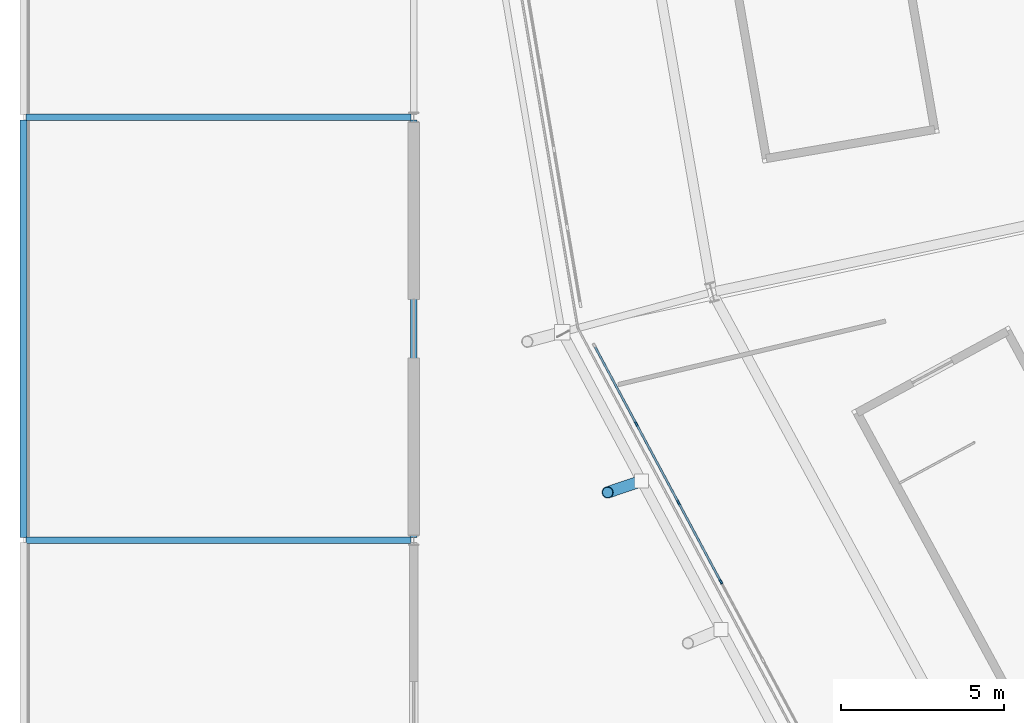
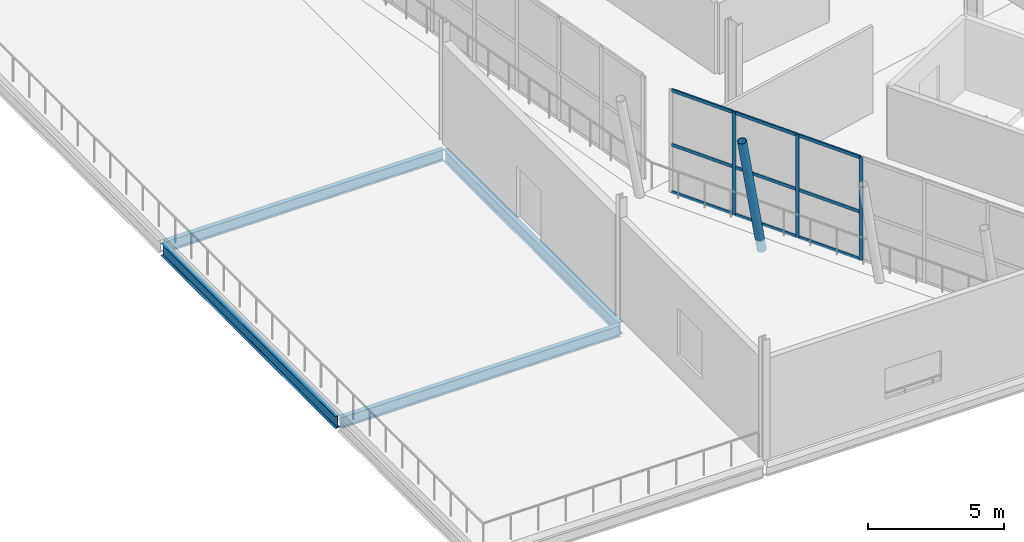
# One storey, part 17 of 126: 13 members, 4 beams, 1 element without a shape of its own.
"""IFC4 building model written with IfcOpenShell, lengths in metres."""

from ifc_helpers import new_model, si_unit, direction, frame, origin, origin_2d, place, context, subcontext, project, spatial, rectangle, hollow_circle, i_section, extrude, material, material_profile, profile_set, type_object, element, aggregate, save


model = new_model("IFC4")

# Units and contexts
model_context = context("Model", 3, precision=1e-05, world=origin(), true_north=direction((0.0, 1.0)))
body_context = subcontext(model_context, "Body", "Model", "MODEL_VIEW")
ifc_project = project(units=[si_unit("LENGTHUNIT", "METRE"), si_unit("AREAUNIT", "SQUARE_METRE"), si_unit("VOLUMEUNIT", "CUBIC_METRE"), si_unit("PLANEANGLEUNIT", "RADIAN"), si_unit("MASSUNIT", "GRAM", prefix="KILO")], contexts=[model_context])

# Site, building, storey
site_placement = place(None, origin())
site = spatial("IfcSite", under=ifc_project, at=site_placement, CompositionType="ELEMENT")
building_placement = place(site_placement, origin())
building = spatial("IfcBuilding", under=site, at=building_placement, Name="Zlatoyarsky Gate Stadium", CompositionType="ELEMENT")
storey_placement = place(building_placement, frame((0.0, 0.0, 20.800048828125)))
storey = spatial("IfcBuildingStorey", under=building, at=storey_placement, Name="L04", CompositionType="ELEMENT", Elevation=20.800048828125)

# Curtain wall, members
ifc_material_1 = material(Name="Thermally broken anodised aluminium curtain wall", Category="aluminium")
curtain_wall_type = type_object("IfcCurtainWallType", Name="UNITISED MEDIA RING GLAZING L04", PredefinedType="USERDEFINED", material=ifc_material_1)
curtain_wall_placement = place(storey_placement, origin())
curtain_wall = element("IfcCurtainWall", 1, at=curtain_wall_placement, inside=storey, type_object=curtain_wall_type, Name="Curtain wall CW-L04-13", ObjectType="UNITISED GLAZING", PredefinedType="USERDEFINED")
ifc_material_2 = material(Name="Anodised aluminium 6063-T6", Category="aluminium")
ifc_material_profile_1 = material_profile(ifc_material_2, rectangle(XDim=0.06494140625, YDim=0.159912109375, at=origin_2d()), Name="ALU 65X160")
ifc_profile_set_1 = profile_set([ifc_material_profile_1], Name="Anodised aluminium 6063-T6")
member_type_1 = type_object("IfcMemberType", Name="ALUMINIUM MULLION 65X160", PredefinedType="MULLION", material=ifc_profile_set_1)
member_1_placement = place(storey_placement, frame((18.842529296875, 57.57470703125, 0.0), z_axis=(0.0, 0.0, 1.0), x_axis=(0.881520920878, 0.472144962966, 0.0)))
member_1 = element("IfcMember", 2, at=member_1_placement, type_object=member_type_1, Name="CW-UG4 mullion 2", PredefinedType="MULLION", context=body_context, shape_type="SweptSolid", body=[
    extrude(rectangle(XDim=0.06494140625, YDim=0.159912109375, at=origin_2d()), origin(), (0.0, 0.0, 1.0), 4.619873046875),
])
member_2_placement = place(storey_placement, frame((20.14013671875, 55.152099609375, 0.0), z_axis=(0.0, 0.0, 1.0), x_axis=(0.881520920878, 0.472144962966, 0.0)))
member_2 = element("IfcMember", 3, at=member_2_placement, type_object=member_type_1, Name="CW-UG4 mullion 3", PredefinedType="MULLION", context=body_context, shape_type="SweptSolid", body=[
    extrude(rectangle(XDim=0.06494140625, YDim=0.159912109375, at=origin_2d()), origin(), (0.0, 0.0, 1.0), 4.619873046875),
])
member_3_placement = place(storey_placement, frame((21.437744140625, 52.729248046875, 0.0), z_axis=(0.0, 0.0, 1.0), x_axis=(0.881520920878, 0.472144962966, 0.0)))
member_3 = element("IfcMember", 4, at=member_3_placement, type_object=member_type_1, Name="CW-UG4 mullion 4", PredefinedType="MULLION", context=body_context, shape_type="SweptSolid", body=[
    extrude(rectangle(XDim=0.06494140625, YDim=0.159912109375, at=origin_2d()), origin(), (0.0, 0.0, 1.0), 4.619873046875),
])
ifc_material_profile_2 = material_profile(ifc_material_2, rectangle(XDim=0.06494140625, YDim=0.139892578125, at=origin_2d()), Name="ALU 65X140")
ifc_profile_set_2 = profile_set([ifc_material_profile_2], Name="Anodised aluminium 6063-T6")
member_type_2 = type_object("IfcMemberType", Name="ALUMINIUM TRANSOM 65X140", PredefinedType="USERDEFINED", material=ifc_profile_set_2)
member_4_placement = place(storey_placement, frame((17.57568359375, 59.940185546875, 0.032470703125), z_axis=(0.472126840824, -0.881530626906, 0.0), x_axis=(0.881530626906, 0.472126840824, 0.0)))
member_4 = element("IfcMember", 5, at=member_4_placement, type_object=member_type_2, Name="CW-UG4 transom 1.1", ObjectType="TRANSOM", PredefinedType="USERDEFINED", context=body_context, shape_type="SweptSolid", body=[
    extrude(rectangle(XDim=0.06494140625, YDim=0.139892578125, at=origin_2d()), origin(), (0.0, 0.0, 1.0), 2.650634765625),
])
member_5_placement = place(storey_placement, frame((17.57568359375, 59.940185546875, 2.14990234375), z_axis=(0.472126840824, -0.881530626906, 0.0), x_axis=(0.881530626906, 0.472126840824, 0.0)))
member_5 = element("IfcMember", 6, at=member_5_placement, type_object=member_type_2, Name="CW-UG4 transom 1.2", ObjectType="TRANSOM", PredefinedType="USERDEFINED", context=body_context, shape_type="SweptSolid", body=[
    extrude(rectangle(XDim=0.06494140625, YDim=0.139892578125, at=origin_2d()), origin(), (0.0, 0.0, 1.0), 2.650634765625),
])
member_6_placement = place(storey_placement, frame((17.57568359375, 59.940185546875, 4.58740234375), z_axis=(0.472126840824, -0.881530626906, 0.0), x_axis=(0.881530626906, 0.472126840824, 0.0)))
member_6 = element("IfcMember", 7, at=member_6_placement, type_object=member_type_2, Name="CW-UG4 transom 1.3", ObjectType="TRANSOM", PredefinedType="USERDEFINED", context=body_context, shape_type="SweptSolid", body=[
    extrude(rectangle(XDim=0.06494140625, YDim=0.139892578125, at=origin_2d()), origin(), (0.0, 0.0, 1.0), 2.650634765625),
])
member_7_placement = place(storey_placement, frame((18.85791015625, 57.546142578125, 0.032470703125), z_axis=(0.472112842027, -0.881538124186, 0.0), x_axis=(0.881538124186, 0.472112842027, 0.0)))
member_7 = element("IfcMember", 8, at=member_7_placement, type_object=member_type_2, Name="CW-UG4 transom 2.1", ObjectType="TRANSOM", PredefinedType="USERDEFINED", context=body_context, shape_type="SweptSolid", body=[
    extrude(rectangle(XDim=0.06494140625, YDim=0.139892578125, at=origin_2d()), origin(), (0.0, 0.0, 1.0), 2.683349609375),
])
member_8_placement = place(storey_placement, frame((18.85791015625, 57.546142578125, 2.14990234375), z_axis=(0.472112842027, -0.881538124186, 0.0), x_axis=(0.881538124186, 0.472112842027, 0.0)))
member_8 = element("IfcMember", 9, at=member_8_placement, type_object=member_type_2, Name="CW-UG4 transom 2.2", ObjectType="TRANSOM", PredefinedType="USERDEFINED", context=body_context, shape_type="SweptSolid", body=[
    extrude(rectangle(XDim=0.06494140625, YDim=0.139892578125, at=origin_2d()), origin(), (0.0, 0.0, 1.0), 2.683349609375),
])
member_9_placement = place(storey_placement, frame((18.85791015625, 57.546142578125, 4.58740234375), z_axis=(0.472112842027, -0.881538124186, 0.0), x_axis=(0.881538124186, 0.472112842027, 0.0)))
member_9 = element("IfcMember", 10, at=member_9_placement, type_object=member_type_2, Name="CW-UG4 transom 2.3", ObjectType="TRANSOM", PredefinedType="USERDEFINED", context=body_context, shape_type="SweptSolid", body=[
    extrude(rectangle(XDim=0.06494140625, YDim=0.139892578125, at=origin_2d()), origin(), (0.0, 0.0, 1.0), 2.683349609375),
])
member_10_placement = place(storey_placement, frame((20.155517578125, 55.123291015625, 0.032470703125), z_axis=(0.472150710596, -0.881517842408, 0.0), x_axis=(0.881517842408, 0.472150710596, 0.0)))
member_10 = element("IfcMember", 11, at=member_10_placement, type_object=member_type_2, Name="CW-UG4 transom 3.1", ObjectType="TRANSOM", PredefinedType="USERDEFINED", context=body_context, shape_type="SweptSolid", body=[
    extrude(rectangle(XDim=0.06494140625, YDim=0.139892578125, at=origin_2d()), origin(), (0.0, 0.0, 1.0), 2.68310546875),
])
member_11_placement = place(storey_placement, frame((20.155517578125, 55.123291015625, 2.14990234375), z_axis=(0.472150710596, -0.881517842408, 0.0), x_axis=(0.881517842408, 0.472150710596, 0.0)))
member_11 = element("IfcMember", 12, at=member_11_placement, type_object=member_type_2, Name="CW-UG4 transom 3.2", ObjectType="TRANSOM", PredefinedType="USERDEFINED", context=body_context, shape_type="SweptSolid", body=[
    extrude(rectangle(XDim=0.06494140625, YDim=0.139892578125, at=origin_2d()), origin(), (0.0, 0.0, 1.0), 2.68310546875),
])
member_12_placement = place(storey_placement, frame((20.155517578125, 55.123291015625, 4.58740234375), z_axis=(0.472150710596, -0.881517842408, 0.0), x_axis=(0.881517842408, 0.472150710596, 0.0)))
member_12 = element("IfcMember", 13, at=member_12_placement, type_object=member_type_2, Name="CW-UG4 transom 3.3", ObjectType="TRANSOM", PredefinedType="USERDEFINED", context=body_context, shape_type="SweptSolid", body=[
    extrude(rectangle(XDim=0.06494140625, YDim=0.139892578125, at=origin_2d()), origin(), (0.0, 0.0, 1.0), 2.68310546875),
])
aggregate(curtain_wall, [member_1, member_2, member_3, member_4, member_5, member_6, member_7, member_8, member_9, member_10, member_11, member_12])

# Beams
ifc_material_3 = material(Name="Steel S355", Category="steel")
ifc_material_profile_3 = material_profile(ifc_material_3, i_section(OverallWidth=0.199951171875, OverallDepth=0.5, WebThickness=0.01025390625, FlangeThickness=0.01611328125, FilletRadius=0.02099609375, at=origin_2d()), Name="IPE 500")
ifc_profile_set_3 = profile_set([ifc_material_profile_3], Name="Steel S355")
beam_type_1 = type_object("IfcBeamType", Name="STEEL FLOOR BEAM IPE 500", PredefinedType="BEAM", material=ifc_profile_set_3)
for number, where, z_axis, x_axis, name in (
    (14, (0.080078125, 54.0, -0.570068359375), (1.0, 0.0, 0.0), (0.0, 1.0, 0.0), "Beam B-IPE500 BM-L04-WGX-1-F"),
    (15, (0.080078125, 67.0, -0.570068359375), (1.0, 0.0, 0.0), (0.0, 1.0, 0.0), "Beam B-IPE500 BM-L04-WGX-1-G"),
):
    element("IfcBeam", number, at=place(storey_placement, frame(where, z_axis=z_axis, x_axis=x_axis)), inside=storey, type_object=beam_type_1, Name=name, PredefinedType="BEAM", context=body_context, shape_type="SweptSolid", body=[
        extrude(i_section(OverallWidth=0.199951171875, OverallDepth=0.5, WebThickness=0.01025390625, FlangeThickness=0.01611328125, FilletRadius=0.02099609375, at=origin_2d()), origin(), (0.0, 0.0, 1.0), 11.83984375),
    ])
ifc_material_profile_4 = material_profile(ifc_material_3, i_section(OverallWidth=0.2099609375, OverallDepth=0.550048828125, WebThickness=0.010986328125, FlangeThickness=0.01708984375, FilletRadius=0.02392578125, at=origin_2d()), Name="IPE 550")
ifc_profile_set_4 = profile_set([ifc_material_profile_4], Name="Steel S355")
beam_type_2 = type_object("IfcBeamType", Name="STEEL FLOOR BEAM IPE 550", PredefinedType="BEAM", material=ifc_profile_set_4)
for number, where, z_axis, x_axis, name in (
    (16, (0.0, 54.080078125, -0.594970703125), (0.0, 1.0, 0.0), (-1.0, 0.0, 0.0), "Beam B-IPE550 BM-L04-WGY-1-F"),
    (17, (12.0, 54.080078125, -0.594970703125), (0.0, 1.0, 0.0), (-1.0, 0.0, 0.0), "Beam B-IPE550 BM-L04-WGY-2-F"),
):
    element("IfcBeam", number, at=place(storey_placement, frame(where, z_axis=z_axis, x_axis=x_axis)), inside=storey, type_object=beam_type_2, Name=name, PredefinedType="BEAM", context=body_context, shape_type="SweptSolid", body=[
        extrude(i_section(OverallWidth=0.2099609375, OverallDepth=0.550048828125, WebThickness=0.010986328125, FlangeThickness=0.01708984375, FilletRadius=0.02392578125, at=origin_2d()), origin(), (0.0, 0.0, 1.0), 12.83984375),
    ])

# Member
ifc_material_profile_5 = material_profile(ifc_material_3, hollow_circle(Radius=0.177734375, WallThickness=0.02001953125, at=origin_2d()), Name="CHS 355.6X20")
ifc_profile_set_5 = profile_set([ifc_material_profile_5], Name="Steel S355")
member_type_3 = type_object("IfcMemberType", Name="STEEL LEANING RIB RING STRUT CHS 355.6X20", PredefinedType="STRUT", material=ifc_profile_set_5)
member_13_placement = place(storey_placement, frame((19.003662109375, 55.82080078125, -0.550048828125), z_axis=(-0.187911950182, -0.06373698872, 0.980115654016), x_axis=(0.321211146144, -0.947007602711, 0.0)))
element("IfcMember", 18, at=member_13_placement, inside=storey, type_object=member_type_3, Name="Outward-leaning bowl louvre fin rib L04 13-1", PredefinedType="STRUT", context=body_context, shape_type="SweptSolid", body=[
    extrude(hollow_circle(Radius=0.177734375, WallThickness=0.02001953125, at=origin_2d()), origin(), (0.0, 0.0, 1.0), 5.55029296875),
])

save(model, "model.ifc")
